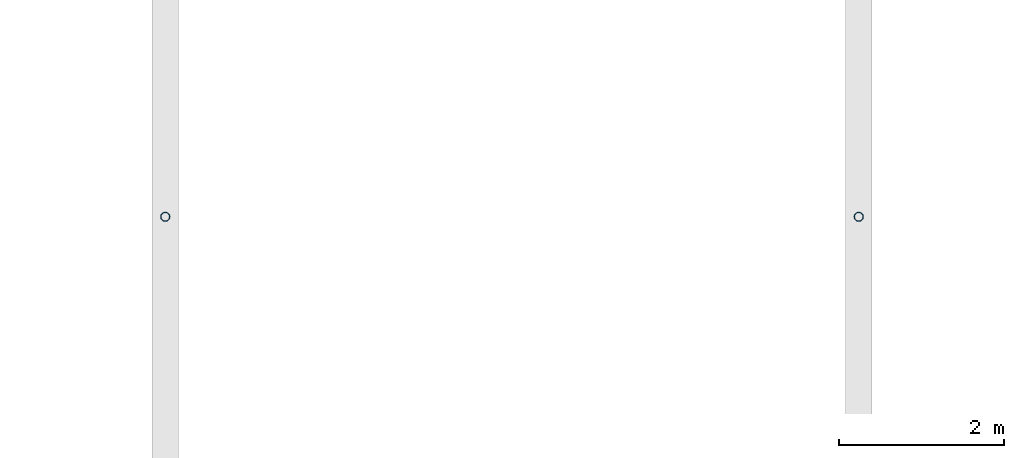
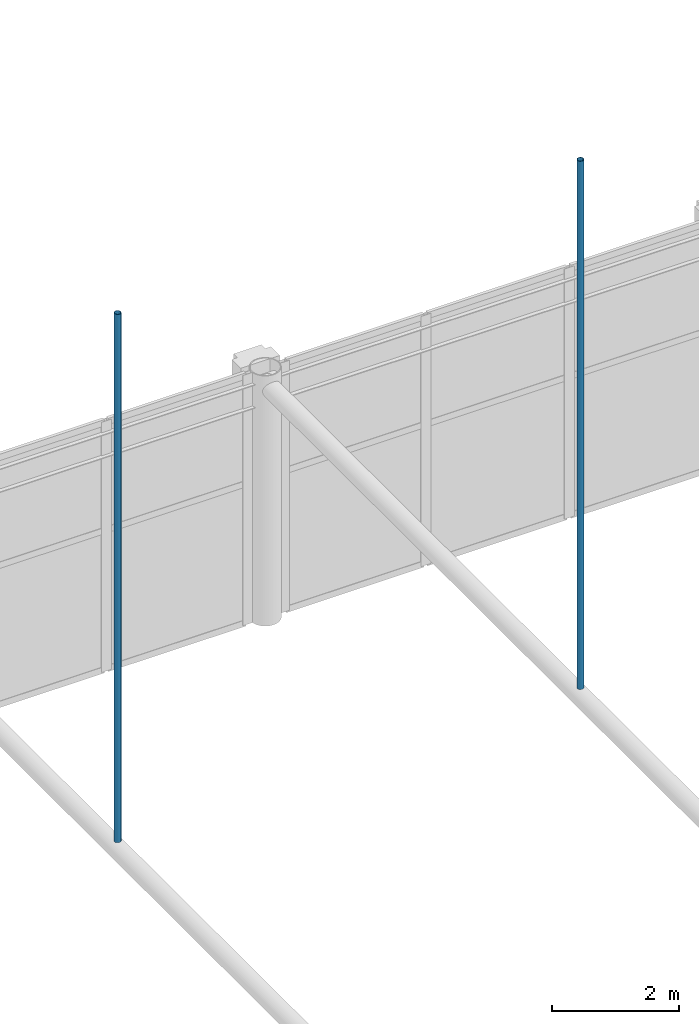
# One storey, part 76 of 167: 2 members.
"""IFC4 building model written with IfcOpenShell, lengths in metres."""

from ifc_helpers import new_model, si_unit, direction, frame, origin, origin_2d, place, context, subcontext, project, spatial, hollow_circle, extrude, material, material_profile, profile_set, type_object, element, save


model = new_model("IFC4")

# Units and contexts
model_context = context("Model", 3, precision=1e-05, world=origin(), true_north=direction((0.0, 1.0)))
body_context = subcontext(model_context, "Body", "Model", "MODEL_VIEW")
ifc_project = project(units=[si_unit("LENGTHUNIT", "METRE"), si_unit("AREAUNIT", "SQUARE_METRE"), si_unit("VOLUMEUNIT", "CUBIC_METRE"), si_unit("PLANEANGLEUNIT", "RADIAN"), si_unit("MASSUNIT", "GRAM", prefix="KILO")], contexts=[model_context])

# Site, building, storey
site_placement = place(None, origin())
site = spatial("IfcSite", under=ifc_project, at=site_placement, CompositionType="ELEMENT")
building_placement = place(site_placement, origin())
building = spatial("IfcBuilding", under=site, at=building_placement, Name="Catenary Quay Ferry Terminal", CompositionType="ELEMENT")
storey_placement = place(building_placement, frame((0.0, 0.0, 6.0)))
storey = spatial("IfcBuildingStorey", under=building, at=storey_placement, Name="L01", CompositionType="ELEMENT", Elevation=6.0)

# Members
ifc_material = material(Name="Steel S355", Category="steel")
ifc_material_profile = material_profile(ifc_material, hollow_circle(Radius=0.05712890625, WallThickness=0.00634765625, at=origin_2d()), Name="CHS 114.3x6.3")
ifc_profile_set = profile_set([ifc_material_profile], Name="Steel S355")
member_type = type_object("IfcMemberType", Name="HG1 CHS 114.3x6.3", PredefinedType="POST", material=ifc_profile_set)
for number, where, z_axis, x_axis, name in (
    (1, (33.60009765625, 132.889892578125, 4.654052734375), (0.0, 0.0, 1.0), (1.0, 0.0, 0.0), "Hanger VD-02-08"),
    (2, (42.0, 132.889892578125, 4.654052734375), (0.0, 0.0, 1.0), (1.0, 0.0, 0.0), "Hanger VD-03-08"),
):
    element("IfcMember", number, at=place(storey_placement, frame(where, z_axis=z_axis, x_axis=x_axis)), inside=storey, type_object=member_type, Name=name, PredefinedType="POST", context=body_context, shape_type="SweptSolid", body=[
        extrude(hollow_circle(Radius=0.05712890625, WallThickness=0.00634765625, at=origin_2d()), origin(), (0.0, 0.0, 1.0), 10.137939453125),
    ])

save(model, "model.ifc")
